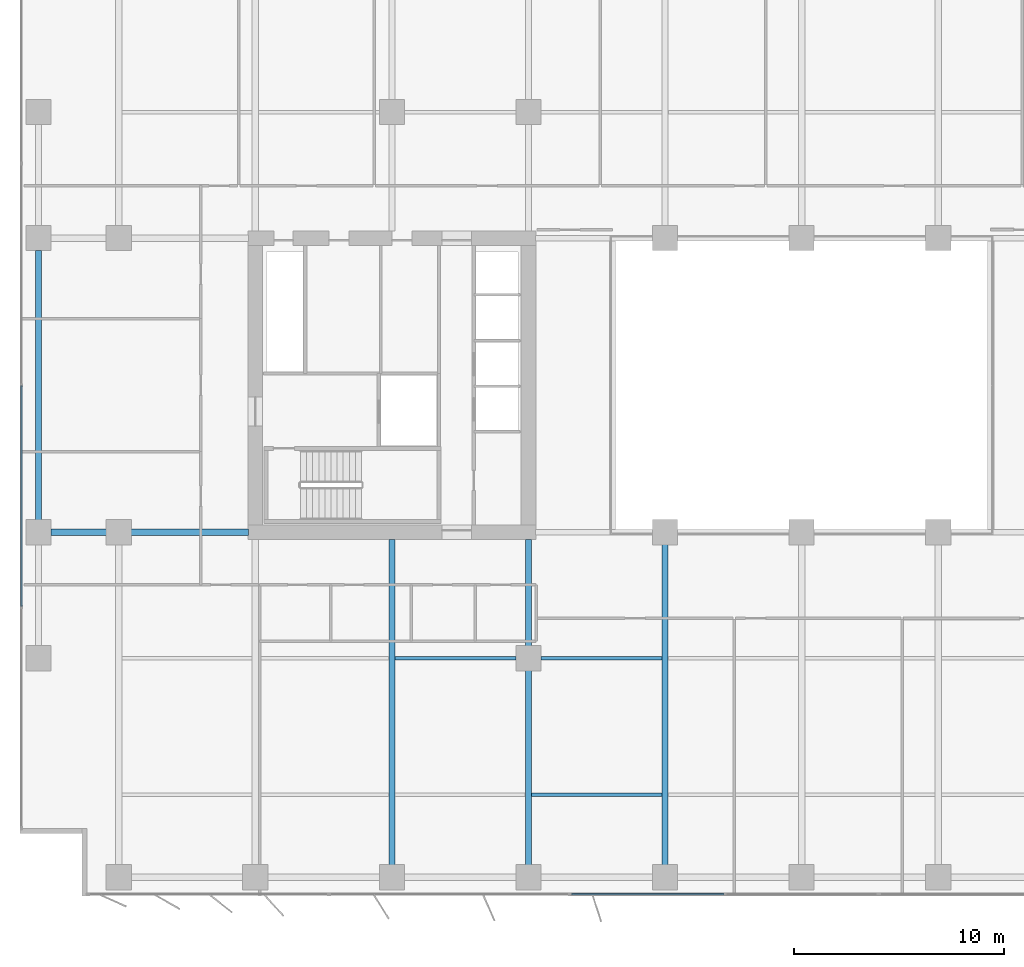
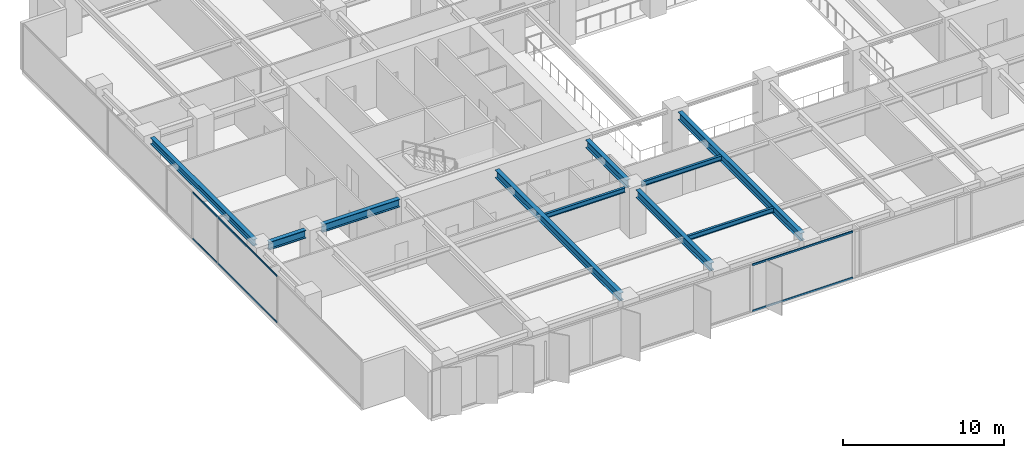
# One storey, part 3 of 20: 10 beams, 4 members, 2 elements without a shape of their own.
"""IFC4 building model written with IfcOpenShell, lengths in metres."""

from ifc_helpers import new_model, si_unit, direction, frame, origin, origin_2d, place, context, subcontext, project, spatial, rectangle, i_section, extrude, material, layer, layer_set, material_profile, profile_set, type_object, element, aggregate, save


model = new_model("IFC4")

# Units and contexts
model_context = context("Model", 3, precision=1e-05, world=origin(), true_north=direction((0.0, 1.0)))
body_context = subcontext(model_context, "Body", "Model", "MODEL_VIEW")
ifc_project = project(units=[si_unit("LENGTHUNIT", "METRE"), si_unit("AREAUNIT", "SQUARE_METRE"), si_unit("VOLUMEUNIT", "CUBIC_METRE"), si_unit("PLANEANGLEUNIT", "RADIAN"), si_unit("MASSUNIT", "GRAM", prefix="KILO")], contexts=[model_context])

# Site, building, storey
site_placement = place(None, origin())
site = spatial("IfcSite", under=ifc_project, at=site_placement, CompositionType="ELEMENT")
building_placement = place(site_placement, origin())
building = spatial("IfcBuilding", under=site, at=building_placement, Name="Putna Gate Headquarters", CompositionType="ELEMENT")
storey_placement = place(building_placement, frame((0.0, 0.0, 124.0)))
storey = spatial("IfcBuildingStorey", under=building, at=storey_placement, Name="L30", CompositionType="ELEMENT", Elevation=124.0)

# Beams
ifc_material_1 = material(Name="Steel S355J2", Category="steel")
ifc_material_profile_1 = material_profile(ifc_material_1, i_section(OverallWidth=0.300048828125, OverallDepth=0.60009765625, WebThickness=0.015380859375, FlangeThickness=0.030029296875, at=origin_2d()), Name="Steel S355J2")
ifc_profile_set_1 = profile_set([ifc_material_profile_1], Name="Steel S355J2")
beam_type_1 = type_object("IfcBeamType", Name="BM-GIRD-Z2-HEB600", PredefinedType="USERDEFINED", material=ifc_profile_set_1)
beam_1_placement = place(storey_placement, frame((3.26806640625, 19.0, 3.264892578125), z_axis=(1.0, 0.0, 0.0), x_axis=(0.0, 1.0, 0.0)))
element("IfcBeam", 1, at=beam_1_placement, inside=storey, type_object=beam_type_1, Name="L30 West Wing Girder Y19-1", ObjectType="GIRDER", PredefinedType="USERDEFINED", context=body_context, shape_type="SweptSolid", body=[
    extrude(i_section(OverallWidth=0.300048828125, OverallDepth=0.60009765625, WebThickness=0.015380859375, FlangeThickness=0.030029296875, at=origin_2d()), origin(), (0.0, 0.0, 1.0), 2.64404296875),
])
beam_2_placement = place(storey_placement, frame((7.087890625, 19.0, 3.264892578125), z_axis=(1.0, 0.0, 0.0), x_axis=(0.0, 1.0, 0.0)))
element("IfcBeam", 2, at=beam_2_placement, inside=storey, type_object=beam_type_1, Name="L30 West Wing Girder Y19-2", ObjectType="GIRDER", PredefinedType="USERDEFINED", context=body_context, shape_type="SweptSolid", body=[
    extrude(i_section(OverallWidth=0.300048828125, OverallDepth=0.60009765625, WebThickness=0.015380859375, FlangeThickness=0.030029296875, at=origin_2d()), origin(), (0.0, 0.0, 1.0), 5.5771484375),
])
beam_3_placement = place(storey_placement, frame((19.5, 3.16796875, 3.264892578125), z_axis=(0.0, 1.0, 0.0), x_axis=(-1.0, 0.0, 0.0)))
element("IfcBeam", 3, at=beam_3_placement, inside=storey, type_object=beam_type_1, Name="L30 South Primary Girder X19", ObjectType="GIRDER", PredefinedType="USERDEFINED", context=body_context, shape_type="SweptSolid", body=[
    extrude(i_section(OverallWidth=0.300048828125, OverallDepth=0.60009765625, WebThickness=0.015380859375, FlangeThickness=0.030029296875, at=origin_2d()), origin(), (0.0, 0.0, 1.0), 15.4970703125),
])
beam_4_placement = place(storey_placement, frame((26.0, 3.16796875, 3.264892578125), z_axis=(0.0, 1.0, 0.0), x_axis=(-1.0, 0.0, 0.0)))
element("IfcBeam", 4, at=beam_4_placement, inside=storey, type_object=beam_type_1, Name="L30 South Primary Girder X26-1", ObjectType="GIRDER", PredefinedType="USERDEFINED", context=body_context, shape_type="SweptSolid", body=[
    extrude(i_section(OverallWidth=0.300048828125, OverallDepth=0.60009765625, WebThickness=0.015380859375, FlangeThickness=0.030029296875, at=origin_2d()), origin(), (0.0, 0.0, 1.0), 9.244140625),
])
beam_5_placement = place(storey_placement, frame((26.0, 13.587890625, 3.264892578125), z_axis=(0.0, 1.0, 0.0), x_axis=(-1.0, 0.0, 0.0)))
element("IfcBeam", 5, at=beam_5_placement, inside=storey, type_object=beam_type_1, Name="L30 South Primary Girder X26-2", ObjectType="GIRDER", PredefinedType="USERDEFINED", context=body_context, shape_type="SweptSolid", body=[
    extrude(i_section(OverallWidth=0.300048828125, OverallDepth=0.60009765625, WebThickness=0.015380859375, FlangeThickness=0.030029296875, at=origin_2d()), origin(), (0.0, 0.0, 1.0), 5.0771484375),
])
beam_6_placement = place(storey_placement, frame((32.5, 3.16796875, 3.264892578125), z_axis=(0.0, 1.0, 0.0), x_axis=(-1.0, 0.0, 0.0)))
element("IfcBeam", 6, at=beam_6_placement, inside=storey, type_object=beam_type_1, Name="L30 South Primary Girder X32", ObjectType="GIRDER", PredefinedType="USERDEFINED", context=body_context, shape_type="SweptSolid", body=[
    extrude(i_section(OverallWidth=0.300048828125, OverallDepth=0.60009765625, WebThickness=0.015380859375, FlangeThickness=0.030029296875, at=origin_2d()), origin(), (0.0, 0.0, 1.0), 15.244140625),
])
ifc_material_profile_2 = material_profile(ifc_material_1, i_section(OverallWidth=0.169921875, OverallDepth=0.360107421875, WebThickness=0.008056640625, FlangeThickness=0.0126953125, at=origin_2d()), Name="Steel S355J2")
ifc_profile_set_2 = profile_set([ifc_material_profile_2], Name="Steel S355J2")
beam_type_2 = type_object("IfcBeamType", Name="BM-SEC-Z2-IPE360", PredefinedType="BEAM", material=ifc_profile_set_2)
beam_7_placement = place(storey_placement, frame((19.654052734375, 13.0, 3.385009765625), z_axis=(1.0, 0.0, 0.0), x_axis=(0.0, 1.0, 0.0)))
element("IfcBeam", 7, at=beam_7_placement, inside=storey, type_object=beam_type_2, Name="L30 South Secondary Beam 3", PredefinedType="BEAM", context=body_context, shape_type="SweptSolid", body=[
    extrude(i_section(OverallWidth=0.169921875, OverallDepth=0.360107421875, WebThickness=0.008056640625, FlangeThickness=0.0126953125, at=origin_2d()), origin(), (0.0, 0.0, 1.0), 5.758056640625),
])
beam_8_placement = place(storey_placement, frame((26.154052734375, 6.5, 3.385009765625), z_axis=(1.0, 0.0, 0.0), x_axis=(0.0, 1.0, 0.0)))
element("IfcBeam", 8, at=beam_8_placement, inside=storey, type_object=beam_type_2, Name="L30 South Secondary Beam 4", PredefinedType="BEAM", context=body_context, shape_type="SweptSolid", body=[
    extrude(i_section(OverallWidth=0.169921875, OverallDepth=0.360107421875, WebThickness=0.008056640625, FlangeThickness=0.0126953125, at=origin_2d()), origin(), (0.0, 0.0, 1.0), 6.19189453125),
])
beam_9_placement = place(storey_placement, frame((26.587890625, 13.0, 3.385009765625), z_axis=(1.0, 0.0, 0.0), x_axis=(0.0, 1.0, 0.0)))
element("IfcBeam", 9, at=beam_9_placement, inside=storey, type_object=beam_type_2, Name="L30 South Secondary Beam 4", PredefinedType="BEAM", context=body_context, shape_type="SweptSolid", body=[
    extrude(i_section(OverallWidth=0.169921875, OverallDepth=0.360107421875, WebThickness=0.008056640625, FlangeThickness=0.0126953125, at=origin_2d()), origin(), (0.0, 0.0, 1.0), 5.758056640625),
])
ifc_material_profile_3 = material_profile(ifc_material_1, i_section(OverallWidth=0.300048828125, OverallDepth=0.489990234375, WebThickness=0.011962890625, FlangeThickness=0.02294921875, at=origin_2d()), Name="Steel S355J2")
ifc_profile_set_3 = profile_set([ifc_material_profile_3], Name="Steel S355J2")
beam_type_3 = type_object("IfcBeamType", Name="BM-SPAN-Z2-HEA500", PredefinedType="SPANDREL", material=ifc_profile_set_3)
beam_10_placement = place(storey_placement, frame((2.679931640625, 19.587890625, 3.320068359375), z_axis=(0.0, 1.0, 0.0), x_axis=(-1.0, 0.0, 0.0)))
element("IfcBeam", 10, at=beam_10_placement, inside=storey, type_object=beam_type_3, Name="L30 W End Spandrel 2", PredefinedType="SPANDREL", context=body_context, shape_type="SweptSolid", body=[
    extrude(i_section(OverallWidth=0.300048828125, OverallDepth=0.489990234375, WebThickness=0.011962890625, FlangeThickness=0.02294921875, at=origin_2d()), origin(), (0.0, 0.0, 1.0), 12.82421875),
])

# Curtain wall, members
ifc_material_2 = material(Name="Anodised bronze aluminium curtain wall", Category="aluminium")
ifc_layer_1 = layer(ifc_material_2, 0.159912109375)
ifc_layer_set_1 = layer_set([ifc_layer_1], Name="Anodised bronze aluminium curtain wall")
curtain_wall_type_1 = type_object("IfcCurtainWallType", Name="CW-SYS-Z2", PredefinedType="USERDEFINED", material=ifc_layer_set_1)
curtain_wall_1_placement = place(storey_placement, origin())
curtain_wall_1 = element("IfcCurtainWall", 11, at=curtain_wall_1_placement, inside=storey, type_object=curtain_wall_type_1, Name="L30 West Curtain Wall", ObjectType="STICK CURTAIN WALL", PredefinedType="USERDEFINED")
ifc_material_3 = material(Name="Anodised bronze aluminium EN AW-6060", Category="aluminium")
ifc_material_profile_4 = material_profile(ifc_material_3, rectangle(XDim=0.06494140625, YDim=0.1201171875, at=origin_2d()), Name="Anodised bronze aluminium EN AW-6060")
ifc_profile_set_4 = profile_set([ifc_material_profile_4], Name="Anodised bronze aluminium EN AW-6060")
member_type_1 = type_object("IfcMemberType", Name="TRAN-CWT-2", PredefinedType="USERDEFINED", material=ifc_profile_set_4)
member_1_placement = place(storey_placement, frame((1.8798828125, 15.482421875, 0.032470703125), z_axis=(0.0, 1.0, 0.0), x_axis=(-1.0, 0.0, 0.0)))
member_1 = element("IfcMember", 12, at=member_1_placement, type_object=member_type_1, Name="CWS-2 transom 2.1", ObjectType="TRANSOM", PredefinedType="USERDEFINED", context=body_context, shape_type="SweptSolid", body=[
    extrude(rectangle(XDim=0.06494140625, YDim=0.1201171875, at=origin_2d()), origin(), (0.0, 0.0, 1.0), 10.485107421875),
])
member_2_placement = place(storey_placement, frame((1.8798828125, 15.482421875, 3.532470703125), z_axis=(0.0, 1.0, 0.0), x_axis=(-1.0, 0.0, 0.0)))
member_2 = element("IfcMember", 13, at=member_2_placement, type_object=member_type_1, Name="CWS-2 transom 2.2", ObjectType="TRANSOM", PredefinedType="USERDEFINED", context=body_context, shape_type="SweptSolid", body=[
    extrude(rectangle(XDim=0.06494140625, YDim=0.1201171875, at=origin_2d()), origin(), (0.0, 0.0, 1.0), 10.485107421875),
])
aggregate(curtain_wall_1, [member_1, member_2])

ifc_layer_2 = layer(ifc_material_2, 0.179931640625)
ifc_layer_set_2 = layer_set([ifc_layer_2], Name="Anodised bronze aluminium curtain wall")
curtain_wall_type_2 = type_object("IfcCurtainWallType", Name="CW-SYS-ATR", PredefinedType="USERDEFINED", material=ifc_layer_set_2)
curtain_wall_2_placement = place(storey_placement, origin())
curtain_wall_2 = element("IfcCurtainWall", 14, at=curtain_wall_2_placement, inside=storey, type_object=curtain_wall_type_2, Name="L30 South Atrium Clear Glazing", ObjectType="ATRIUM GLAZING", PredefinedType="USERDEFINED")
ifc_material_profile_5 = material_profile(ifc_material_3, rectangle(XDim=0.070068359375, YDim=0.139892578125, at=origin_2d()), Name="Anodised bronze aluminium EN AW-6060")
ifc_profile_set_5 = profile_set([ifc_material_profile_5], Name="Anodised bronze aluminium EN AW-6060")
member_type_2 = type_object("IfcMemberType", Name="TRAN-CWT-AT", PredefinedType="USERDEFINED", material=ifc_profile_set_5)
member_3_placement = place(storey_placement, frame((28.070068359375, 1.780029296875, 0.034912109375), z_axis=(1.0, 0.0, 0.0), x_axis=(0.0, 1.0, 0.0)))
member_3 = element("IfcMember", 15, at=member_3_placement, type_object=member_type_2, Name="CWS-AT transom 1.1", ObjectType="TRANSOM", PredefinedType="USERDEFINED", context=body_context, shape_type="SweptSolid", body=[
    extrude(rectangle(XDim=0.070068359375, YDim=0.139892578125, at=origin_2d()), origin(), (0.0, 0.0, 1.0), 7.228271484375),
])
member_4_placement = place(storey_placement, frame((28.070068359375, 1.780029296875, 3.530029296875), z_axis=(1.0, 0.0, 0.0), x_axis=(0.0, 1.0, 0.0)))
member_4 = element("IfcMember", 16, at=member_4_placement, type_object=member_type_2, Name="CWS-AT transom 1.2", ObjectType="TRANSOM", PredefinedType="USERDEFINED", context=body_context, shape_type="SweptSolid", body=[
    extrude(rectangle(XDim=0.070068359375, YDim=0.139892578125, at=origin_2d()), origin(), (0.0, 0.0, 1.0), 7.228271484375),
])
aggregate(curtain_wall_2, [member_3, member_4])

save(model, "model.ifc")
